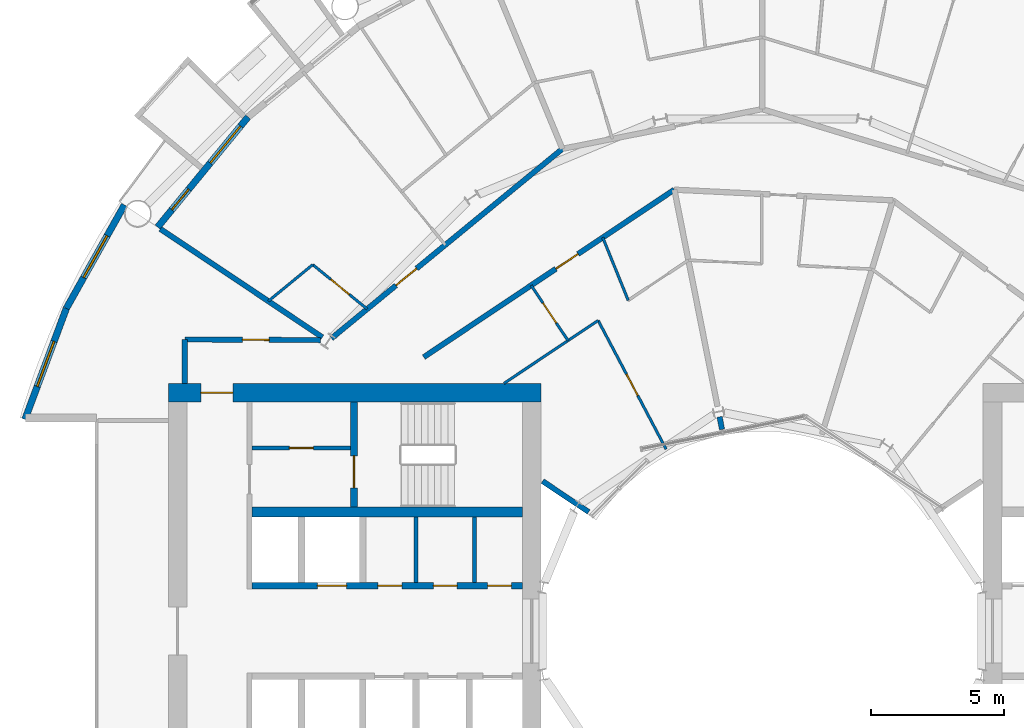
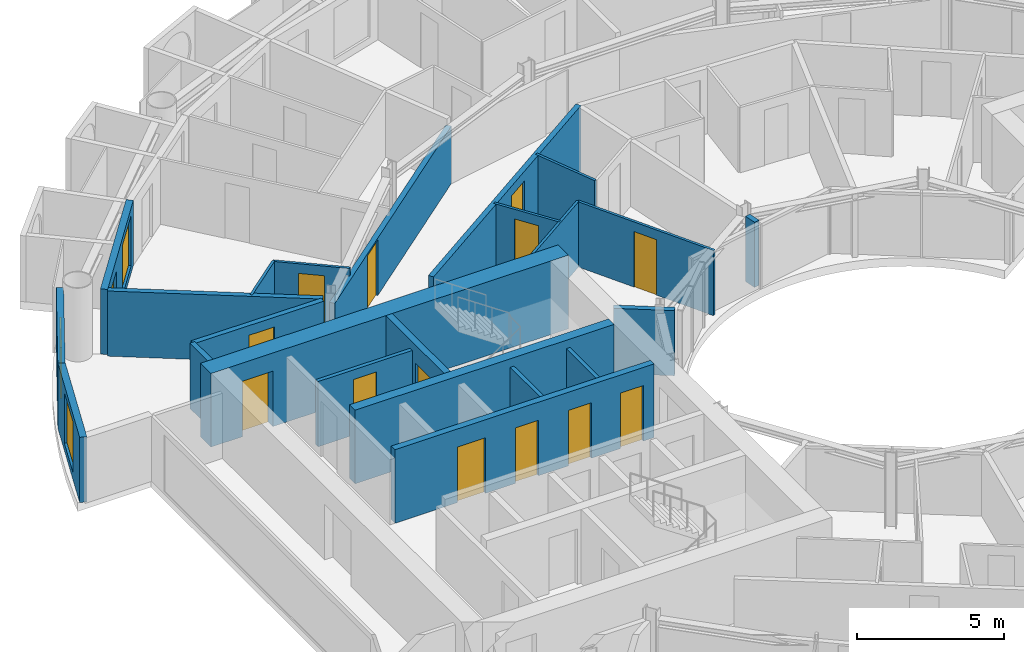
# One storey, part 18 of 26: 23 walls, 14 doors, 3 windows, 17 openings.
"""IFC4 building model written with IfcOpenShell, lengths in metres."""

from ifc_helpers import new_model, si_unit, direction, frame, frame_2d, origin, place, context, subcontext, project, spatial, rectangle, extrude, material, layer, layer_set, type_object, element, fill, save


model = new_model("IFC4")

# Units and contexts
model_context = context("Model", 3, precision=1e-05, world=origin(), true_north=direction((0.0, 1.0)))
body_context = subcontext(model_context, "Body", "Model", "MODEL_VIEW")
ifc_project = project(units=[si_unit("LENGTHUNIT", "METRE"), si_unit("AREAUNIT", "SQUARE_METRE"), si_unit("VOLUMEUNIT", "CUBIC_METRE"), si_unit("PLANEANGLEUNIT", "RADIAN"), si_unit("MASSUNIT", "GRAM", prefix="KILO")], contexts=[model_context])

# Site, building, storey
site_placement = place(None, origin())
site = spatial("IfcSite", under=ifc_project, at=site_placement, CompositionType="ELEMENT")
building_placement = place(site_placement, origin())
building = spatial("IfcBuilding", under=site, at=building_placement, Name="Maasbend Ring Residences", CompositionType="ELEMENT")
storey_placement = place(building_placement, frame((0.0, 0.0, 91.050048828125)))
storey = spatial("IfcBuildingStorey", under=building, at=storey_placement, Name="L26", CompositionType="ELEMENT", Elevation=91.050048828125)

# Wall, openings, doors
ifc_material_1 = material(Name="Concrete C70/85", Category="concrete")
ifc_layer_1 = layer(ifc_material_1, 0.25)
ifc_layer_set_1 = layer_set([ifc_layer_1], Name="Concrete C70/85")
wall_type_1 = type_object("IfcWallType", Name="CORE WALL 250 C70/85", PredefinedType="SHEAR", material=ifc_layer_set_1)
wall_1_placement = place(storey_placement, frame((-19.14990234375, 1.699951171875, 0.0), z_axis=(0.0, 0.0, 1.0), x_axis=(1.0, 0.0, 0.0)))
wall_1 = element("IfcWall", 1, at=wall_1_placement, inside=storey, type_object=wall_type_1, Name="L26 core W wall SPS", PredefinedType="SHEAR", context=body_context, shape_type="SweptSolid", body=[
    extrude(rectangle(XDim=10.14990234375, YDim=0.25, at=frame_2d((5.074951171875, 0.0))), origin(), (0.0, 0.0, 1.0), 3.050048828125),
])
opening_1_placement = place(wall_1_placement, frame((2.449951171875, 0.0, 0.0)))
opening_1 = element("IfcOpeningElement", 2, at=opening_1_placement, cuts=wall_1, Name="Opening LD-W2605", PredefinedType="OPENING", context=body_context, shape_type="SweptSolid", body=[
    extrude(rectangle(XDim=1.10009765625, YDim=2.300048828125, at=frame_2d((0.550048828125, 1.14990234375))), frame((0.0, 0.135009765625, 0.0), z_axis=(0.0, -1.0, 0.0), x_axis=(1.0, 0.0, 0.0)), (0.0, 0.0, 1.0), 0.27001953125),
])
opening_2_placement = place(wall_1_placement, frame((8.83740234375, 0.0, 0.0)))
opening_2 = element("IfcOpeningElement", 3, at=opening_2_placement, cuts=wall_1, Name="Opening D-W2606", PredefinedType="OPENING", context=body_context, shape_type="SweptSolid", body=[
    extrude(rectangle(XDim=0.89990234375, YDim=2.300048828125, at=frame_2d((0.449951171875, 1.14990234375))), frame((0.0, 0.135009765625, 0.0), z_axis=(0.0, -1.0, 0.0), x_axis=(1.0, 0.0, 0.0)), (0.0, 0.0, 1.0), 0.27001953125),
])
opening_3_placement = place(wall_1_placement, frame((6.800048828125, 0.0, 0.0)))
opening_3 = element("IfcOpeningElement", 4, at=opening_3_placement, cuts=wall_1, Name="Opening D-W2607", PredefinedType="OPENING", context=body_context, shape_type="SweptSolid", body=[
    extrude(rectangle(XDim=0.89990234375, YDim=2.300048828125, at=frame_2d((0.449951171875, 1.14990234375))), frame((0.0, 0.135009765625, 0.0), z_axis=(0.0, -1.0, 0.0), x_axis=(1.0, 0.0, 0.0)), (0.0, 0.0, 1.0), 0.27001953125),
])
opening_4_placement = place(wall_1_placement, frame((4.72509765625, 0.0, 0.0)))
opening_4 = element("IfcOpeningElement", 5, at=opening_4_placement, cuts=wall_1, Name="Opening D-W2608", PredefinedType="OPENING", context=body_context, shape_type="SweptSolid", body=[
    extrude(rectangle(XDim=0.89990234375, YDim=2.300048828125, at=frame_2d((0.449951171875, 1.14990234375))), frame((0.0, 0.135009765625, 0.0), z_axis=(0.0, -1.0, 0.0), x_axis=(1.0, 0.0, 0.0)), (0.0, 0.0, 1.0), 0.27001953125),
])
ifc_material_2 = material(Name="Stainless steel 316", Category="steel")
door_type_1 = type_object("IfcDoorType", Name="LANDING DOOR 1100 X 2300 FD60", OperationType="DOUBLE_DOOR_SLIDING", PredefinedType="DOOR", material=ifc_material_2)
door_1_placement = place(opening_1_placement, origin())
door_1 = element("IfcDoor", 6, at=door_1_placement, inside=storey, type_object=door_type_1, Name="Landing door SV-W L26", OperationType="DOUBLE_DOOR_SLIDING", OverallHeight=2.300048828125, OverallWidth=1.10009765625, PredefinedType="DOOR", context=body_context, shape_type="SweptSolid", body=[
    extrude(rectangle(XDim=1.10009765625, YDim=2.300048828125, at=frame_2d((0.550048828125, 1.14990234375))), frame((0.0, 0.02490234375, 0.0), z_axis=(0.0, -1.0, 0.0), x_axis=(1.0, 0.0, 0.0)), (0.0, 0.0, 1.0), 0.050048828125),
])
fill(opening_1, door_1)
ifc_material_3 = material(Name="Steel, powder coated", Category="steel")
door_type_2 = type_object("IfcDoorType", Name="ROOM DOOR 900 X 2300 FD30S", OperationType="NOTDEFINED", PredefinedType="DOOR", material=ifc_material_3)
door_2_placement = place(opening_2_placement, origin())
door_2 = element("IfcDoor", 7, at=door_2_placement, inside=storey, type_object=door_type_2, Name="Room door L26", OperationType="SINGLE_SWING_LEFT", OverallHeight=2.300048828125, OverallWidth=0.89990234375, PredefinedType="DOOR", context=body_context, shape_type="SweptSolid", body=[
    extrude(rectangle(XDim=0.89990234375, YDim=2.300048828125, at=frame_2d((0.449951171875, 1.14990234375))), frame((0.0, 0.02490234375, 0.0), z_axis=(0.0, -1.0, 0.0), x_axis=(1.0, 0.0, 0.0)), (0.0, 0.0, 1.0), 0.050048828125),
])
fill(opening_2, door_2)
door_3_placement = place(opening_3_placement, origin())
door_3 = element("IfcDoor", 8, at=door_3_placement, inside=storey, type_object=door_type_2, Name="Room door L26", OperationType="SINGLE_SWING_LEFT", OverallHeight=2.300048828125, OverallWidth=0.89990234375, PredefinedType="DOOR", context=body_context, shape_type="SweptSolid", body=[
    extrude(rectangle(XDim=0.89990234375, YDim=2.300048828125, at=frame_2d((0.449951171875, 1.14990234375))), frame((0.0, 0.02490234375, 0.0), z_axis=(0.0, -1.0, 0.0), x_axis=(1.0, 0.0, 0.0)), (0.0, 0.0, 1.0), 0.050048828125),
])
fill(opening_3, door_3)
door_4_placement = place(opening_4_placement, origin())
door_4 = element("IfcDoor", 9, at=door_4_placement, inside=storey, type_object=door_type_2, Name="Room door L26", OperationType="SINGLE_SWING_LEFT", OverallHeight=2.300048828125, OverallWidth=0.89990234375, PredefinedType="DOOR", context=body_context, shape_type="SweptSolid", body=[
    extrude(rectangle(XDim=0.89990234375, YDim=2.300048828125, at=frame_2d((0.449951171875, 1.14990234375))), frame((0.0, 0.02490234375, 0.0), z_axis=(0.0, -1.0, 0.0), x_axis=(1.0, 0.0, 0.0)), (0.0, 0.0, 1.0), 0.050048828125),
])
fill(opening_4, door_4)

# Wall, opening, door
wall_2_placement = place(storey_placement, frame((-15.324951171875, 8.60009765625, 0.0), z_axis=(0.0, 0.0, 1.0), x_axis=(0.0, -1.0, 0.0)))
wall_2 = element("IfcWall", 10, at=wall_2_placement, inside=storey, type_object=wall_type_1, Name="L26 core W wall STES", PredefinedType="SHEAR", context=body_context, shape_type="SweptSolid", body=[
    extrude(rectangle(XDim=3.9501953125, YDim=0.25, at=frame_2d((1.97509765625, 0.0))), origin(), (0.0, 0.0, 1.0), 3.050048828125),
])
opening_5_placement = place(wall_2_placement, frame((2.02490234375, 0.0, 0.0)))
opening_5 = element("IfcOpeningElement", 11, at=opening_5_placement, cuts=wall_2, Name="Opening D-W2611", PredefinedType="OPENING", context=body_context, shape_type="SweptSolid", body=[
    extrude(rectangle(XDim=1.199951171875, YDim=2.300048828125, at=frame_2d((0.60009765625, 1.14990234375))), frame((0.0, 0.135009765625, 0.0), z_axis=(0.0, -1.0, 0.0), x_axis=(1.0, 0.0, 0.0)), (0.0, 0.0, 1.0), 0.27001953125),
])
ifc_material_4 = material(Name="Steel, powder coated", Category="steel")
door_type_3 = type_object("IfcDoorType", Name="STAIR DOOR 1200 X 2300 FD60", OperationType="NOTDEFINED", PredefinedType="DOOR", material=ifc_material_4)
door_5_placement = place(opening_5_placement, origin())
door_5 = element("IfcDoor", 12, at=door_5_placement, inside=storey, type_object=door_type_3, Name="Stair door ST-W L26", OperationType="SINGLE_SWING_LEFT", OverallHeight=2.300048828125, OverallWidth=1.199951171875, PredefinedType="DOOR", context=body_context, shape_type="SweptSolid", body=[
    extrude(rectangle(XDim=1.199951171875, YDim=2.300048828125, at=frame_2d((0.60009765625, 1.14990234375))), frame((0.0, 0.02490234375, 0.0), z_axis=(0.0, -1.0, 0.0), x_axis=(1.0, 0.0, 0.0)), (0.0, 0.0, 1.0), 0.050048828125),
])
fill(opening_5, door_5)

# Wall
ifc_material_5 = material(Name="Concrete C70/85", Category="concrete")
ifc_layer_2 = layer(ifc_material_5, 0.375)
ifc_layer_set_2 = layer_set([ifc_layer_2], Name="Concrete C70/85")
wall_type_2 = type_object("IfcWallType", Name="CORE WALL 375 C70/85", PredefinedType="SHEAR", material=ifc_layer_set_2)
wall_3_placement = place(storey_placement, frame((-9.0, 4.46240234375, 0.0), z_axis=(0.0, 0.0, 1.0), x_axis=(-1.0, 0.0, 0.0)))
element("IfcWall", 13, at=wall_3_placement, inside=storey, type_object=wall_type_2, Name="L26 core W wall BS", PredefinedType="SHEAR", context=body_context, shape_type="SweptSolid", body=[
    extrude(rectangle(XDim=10.14990234375, YDim=0.375, at=frame_2d((5.074951171875, 0.0))), origin(), (0.0, 0.0, 1.0), 3.050048828125),
])

# Wall, opening, door
ifc_material_6 = material(Name="Concrete C70/85", Category="concrete")
ifc_layer_3 = layer(ifc_material_6, 0.699951171875)
ifc_layer_set_3 = layer_set([ifc_layer_3], Name="Concrete C70/85")
wall_type_3 = type_object("IfcWallType", Name="CORE WALL 700 C70/85", PredefinedType="SHEAR", material=ifc_layer_set_3)
wall_4_placement = place(storey_placement, frame((-8.300048828125, 8.949951171875, 0.0), z_axis=(0.0, 0.0, 1.0), x_axis=(-1.0, 0.0, 0.0)))
wall_4 = element("IfcWall", 14, at=wall_4_placement, inside=storey, type_object=wall_type_3, Name="L26 core W wall PS", PredefinedType="SHEAR", context=body_context, shape_type="SweptSolid", body=[
    extrude(rectangle(XDim=14.0, YDim=0.699951171875, at=frame_2d((7.0, 0.0))), origin(), (0.0, 0.0, 1.0), 3.050048828125),
])
opening_6_placement = place(wall_4_placement, frame((11.574951171875, 0.0, 0.0)))
opening_6 = element("IfcOpeningElement", 15, at=opening_6_placement, cuts=wall_4, Name="Opening D-W2615", PredefinedType="OPENING", context=body_context, shape_type="SweptSolid", body=[
    extrude(rectangle(XDim=1.199951171875, YDim=2.300048828125, at=frame_2d((0.60009765625, 1.14990234375))), frame((0.0, 0.35986328125, 0.0), z_axis=(0.0, -1.0, 0.0), x_axis=(1.0, 0.0, 0.0)), (0.0, 0.0, 1.0), 0.719970703125),
])
ifc_material_7 = material(Name="Steel, powder coated", Category="steel")
door_type_4 = type_object("IfcDoorType", Name="CORRIDOR DOOR 1200 X 2300 FD30S", OperationType="NOTDEFINED", PredefinedType="DOOR", material=ifc_material_7)
door_6_placement = place(opening_6_placement, origin())
door_6 = element("IfcDoor", 16, at=door_6_placement, inside=storey, type_object=door_type_4, Name="Corridor door L26", OperationType="SINGLE_SWING_LEFT", OverallHeight=2.300048828125, OverallWidth=1.199951171875, PredefinedType="DOOR", context=body_context, shape_type="SweptSolid", body=[
    extrude(rectangle(XDim=1.199951171875, YDim=2.300048828125, at=frame_2d((0.60009765625, 1.14990234375))), frame((0.0, 0.02490234375, 0.0), z_axis=(0.0, -1.0, 0.0), x_axis=(1.0, 0.0, 0.0)), (0.0, 0.0, 1.0), 0.050048828125),
])
fill(opening_6, door_6)

ifc_material_8 = material(Name="Concrete C30/37", Category="concrete")
ifc_layer_4 = layer(ifc_material_8, 0.199951171875)
ifc_layer_set_4 = layer_set([ifc_layer_4], Name="Concrete C30/37")
wall_type_4 = type_object("IfcWallType", Name="CORRIDOR WALL 200 CONCRETE", PredefinedType="PARTITIONING", material=ifc_layer_set_4)
wall_5_placement = place(storey_placement, frame((-21.675048828125, 10.949951171875, 0.0), z_axis=(0.0, 0.0, 1.0), x_axis=(0.999988944514, -0.004702217579, 0.0)))
wall_5 = element("IfcWall", 17, at=wall_5_placement, inside=storey, type_object=wall_type_4, Name="U-L26-w088", PredefinedType="PARTITIONING", context=body_context, shape_type="SweptSolid", body=[
    extrude(rectangle(XDim=5.088134765625, YDim=0.199951171875, at=frame_2d((2.5439453125, 0.0))), origin(), (0.0, 0.0, 1.0), 2.699951171875),
])
opening_7_placement = place(wall_5_placement, frame((2.162109375, 0.0, 0.0)))
opening_7 = element("IfcOpeningElement", 18, at=opening_7_placement, cuts=wall_5, Name="Opening D-2664", PredefinedType="OPENING", context=body_context, shape_type="SweptSolid", body=[
    extrude(rectangle(XDim=1.0, YDim=2.300048828125, at=frame_2d((0.5, 1.14990234375))), frame((0.0, 0.10986328125, 0.0), z_axis=(0.0, -1.0, 0.0), x_axis=(1.0, 0.0, 0.0)), (0.0, 0.0, 1.0), 0.219970703125),
])
ifc_material_9 = material(Name="Timber, painted", Category="wood")
door_type_5 = type_object("IfcDoorType", Name="ROOM DOOR 1000 X 2300", OperationType="NOTDEFINED", PredefinedType="DOOR", material=ifc_material_9)
door_7_placement = place(opening_7_placement, origin())
door_7 = element("IfcDoor", 19, at=door_7_placement, inside=storey, type_object=door_type_5, Name="D-2664", OperationType="SINGLE_SWING_RIGHT", OverallHeight=2.300048828125, OverallWidth=1.0, PredefinedType="DOOR", context=body_context, shape_type="SweptSolid", body=[
    extrude(rectangle(XDim=1.0, YDim=2.300048828125, at=frame_2d((0.5, 1.14990234375))), frame((0.0, 0.02490234375, 0.0), z_axis=(0.0, -1.0, 0.0), x_axis=(1.0, 0.0, 0.0)), (0.0, 0.0, 1.0), 0.050048828125),
])
fill(opening_7, door_7)

wall_6_placement = place(storey_placement, frame((-12.7080078125, 10.285888671875, 0.0), z_axis=(0.0, 0.0, 1.0), x_axis=(0.831405725802, 0.555665834026, 0.0)))
wall_6 = element("IfcWall", 20, at=wall_6_placement, inside=storey, type_object=wall_type_4, Name="U-L26-w095", PredefinedType="PARTITIONING", context=body_context, shape_type="SweptSolid", body=[
    extrude(rectangle(XDim=11.314453125, YDim=0.199951171875, at=frame_2d((5.6572265625, 0.0))), origin(), (0.0, 0.0, 1.0), 2.699951171875),
])
opening_8_placement = place(wall_6_placement, frame((5.968994140625, 0.0, 0.0)))
opening_8 = element("IfcOpeningElement", 21, at=opening_8_placement, cuts=wall_6, Name="Opening D-2628", PredefinedType="OPENING", context=body_context, shape_type="SweptSolid", body=[
    extrude(rectangle(XDim=1.0, YDim=2.300048828125, at=frame_2d((0.5, 1.14990234375))), frame((0.0, 0.10986328125, 0.0), z_axis=(0.0, -1.0, 0.0), x_axis=(1.0, 0.0, 0.0)), (0.0, 0.0, 1.0), 0.219970703125),
])
ifc_material_10 = material(Name="Timber, fire-rated, painted", Category="wood")
door_type_6 = type_object("IfcDoorType", Name="FLAT ENTRANCE DOOR 1000 X 2300 FIRE-RATED", OperationType="NOTDEFINED", PredefinedType="DOOR", material=ifc_material_10)
door_8_placement = place(opening_8_placement, origin())
door_8 = element("IfcDoor", 22, at=door_8_placement, inside=storey, type_object=door_type_6, Name="D-2628", OperationType="SINGLE_SWING_RIGHT", OverallHeight=2.300048828125, OverallWidth=1.0, PredefinedType="DOOR", context=body_context, shape_type="SweptSolid", body=[
    extrude(rectangle(XDim=1.0, YDim=2.300048828125, at=frame_2d((0.5, 1.14990234375))), frame((0.0, 0.02490234375, 0.0), z_axis=(0.0, -1.0, 0.0), x_axis=(1.0, 0.0, 0.0)), (0.0, 0.0, 1.0), 0.050048828125),
])
fill(opening_8, door_8)

wall_7_placement = place(storey_placement, frame((-16.173095703125, 10.990966796875, 0.0), z_axis=(0.0, 0.0, 1.0), x_axis=(0.773049018445, 0.634346289562, 0.0)))
wall_7 = element("IfcWall", 23, at=wall_7_placement, inside=storey, type_object=wall_type_4, Name="U-L26-w099", PredefinedType="PARTITIONING", context=body_context, shape_type="SweptSolid", body=[
    extrude(rectangle(XDim=11.21923828125, YDim=0.199951171875, at=frame_2d((5.609619140625, 0.0))), origin(), (0.0, 0.0, 1.0), 2.3798828125),
])
opening_9_placement = place(wall_7_placement, frame((3.135009765625, 0.0, 0.0)))
opening_9 = element("IfcOpeningElement", 24, at=opening_9_placement, cuts=wall_7, Name="Opening D-2615", PredefinedType="OPENING", context=body_context, shape_type="SweptSolid", body=[
    extrude(rectangle(XDim=1.0, YDim=2.300048828125, at=frame_2d((0.5, 1.14990234375))), frame((0.0, 0.10986328125, 0.0), z_axis=(0.0, -1.0, 0.0), x_axis=(1.0, 0.0, 0.0)), (0.0, 0.0, 1.0), 0.219970703125),
])
door_9_placement = place(opening_9_placement, origin())
door_9 = element("IfcDoor", 25, at=door_9_placement, inside=storey, type_object=door_type_6, Name="D-2615", OperationType="SINGLE_SWING_LEFT", OverallHeight=2.300048828125, OverallWidth=1.0, PredefinedType="DOOR", context=body_context, shape_type="SweptSolid", body=[
    extrude(rectangle(XDim=1.0, YDim=2.300048828125, at=frame_2d((0.5, 1.14990234375))), frame((0.0, 0.02490234375, 0.0), z_axis=(0.0, -1.0, 0.0), x_axis=(1.0, 0.0, 0.0)), (0.0, 0.0, 1.0), 0.050048828125),
])
fill(opening_9, door_9)

# Wall
wall_8_placement = place(storey_placement, frame((-21.675048828125, 9.300048828125, 0.0), z_axis=(0.0, 0.0, 1.0), x_axis=(0.0, 1.0, 0.0)))
element("IfcWall", 26, at=wall_8_placement, inside=storey, type_object=wall_type_4, Name="U-L26-w107", PredefinedType="PARTITIONING", context=body_context, shape_type="SweptSolid", body=[
    extrude(rectangle(XDim=1.64990234375, YDim=0.199951171875, at=frame_2d((0.824951171875, 0.0))), origin(), (0.0, 0.0, 1.0), 2.699951171875),
])

# Wall, openings, door, window
ifc_material_11 = material(Name="Aluminium clad insulated panel", Category="aluminium")
ifc_layer_5 = layer(ifc_material_11, 0.25)
ifc_layer_set_5 = layer_set([ifc_layer_5], Name="EW-GL")
wall_type_5 = type_object("IfcWallType", Name="EW-GL", PredefinedType="SOLIDWALL", material=ifc_layer_set_5)
wall_9_placement = place(storey_placement, frame((-19.303955078125, 19.303955078125, 0.0), z_axis=(0.0, 0.0, 1.0), x_axis=(-0.634382322723, -0.773019449054, 0.0)))
wall_9 = element("IfcWall", 27, at=wall_9_placement, inside=storey, type_object=wall_type_5, Name="External wall N10", PredefinedType="SOLIDWALL", context=body_context, shape_type="SweptSolid", body=[
    extrude(rectangle(XDim=5.351806640625, YDim=0.25, at=frame_2d((2.67578125, 0.0))), origin(), (0.0, 0.0, 1.0), 2.699951171875),
])
opening_10_placement = place(wall_9_placement, frame((0.441162109375, 0.0, 0.300048828125)))
opening_10 = element("IfcOpeningElement", 28, at=opening_10_placement, cuts=wall_9, Name="Opening W-BX", PredefinedType="OPENING", context=body_context, shape_type="SweptSolid", body=[
    extrude(rectangle(XDim=1.800048828125, YDim=2.10009765625, at=frame_2d((0.89990234375, 1.050048828125))), frame((0.0, 0.135009765625, 0.0), z_axis=(0.0, -1.0, 0.0), x_axis=(1.0, 0.0, 0.0)), (0.0, 0.0, 1.0), 0.27001953125),
])
opening_11_placement = place(wall_9_placement, frame((3.510498046875, 0.0, 0.0)))
opening_11 = element("IfcOpeningElement", 29, at=opening_11_placement, cuts=wall_9, Name="Opening D-LG", PredefinedType="OPENING", context=body_context, shape_type="SweptSolid", body=[
    extrude(rectangle(XDim=1.0, YDim=2.199951171875, at=frame_2d((0.5, 1.10009765625))), frame((0.0, 0.135009765625, 0.0), z_axis=(0.0, -1.0, 0.0), x_axis=(1.0, 0.0, 0.0)), (0.0, 0.0, 1.0), 0.27001953125),
])
ifc_material_12 = material(Name="Aluminium and clear glass", Category="aluminium")
door_type_7 = type_object("IfcDoorType", Name="D-LG", OperationType="SINGLE_SWING_LEFT", PredefinedType="DOOR", material=ifc_material_12)
door_10_placement = place(opening_11_placement, origin())
door_10 = element("IfcDoor", 30, at=door_10_placement, inside=storey, type_object=door_type_7, Name="Loggia door N20", OperationType="SINGLE_SWING_LEFT", OverallHeight=2.199951171875, OverallWidth=1.0, PredefinedType="DOOR", context=body_context, shape_type="SweptSolid", body=[
    extrude(rectangle(XDim=1.0, YDim=2.199951171875, at=frame_2d((0.5, 1.10009765625))), frame((0.0, 0.02490234375, 0.0), z_axis=(0.0, -1.0, 0.0), x_axis=(1.0, 0.0, 0.0)), (0.0, 0.0, 1.0), 0.050048828125),
])
fill(opening_11, door_10)
ifc_material_13 = material(Name="Aluminium and clear glass", Category="aluminium")
window_type = type_object("IfcWindowType", Name="W-BX", PartitioningType="DOUBLE_PANEL_VERTICAL", PredefinedType="WINDOW", material=ifc_material_13)
window_1_placement = place(opening_10_placement, origin())
window_1 = element("IfcWindow", 31, at=window_1_placement, inside=storey, type_object=window_type, Name="Window N19 room to box", OverallHeight=2.10009765625, OverallWidth=1.800048828125, PartitioningType="SINGLE_PANEL", PredefinedType="WINDOW", context=body_context, shape_type="SweptSolid", body=[
    extrude(rectangle(XDim=1.800048828125, YDim=2.10009765625, at=frame_2d((0.89990234375, 1.050048828125))), frame((0.0, 0.030029296875, 0.0), z_axis=(0.0, -1.0, 0.0), x_axis=(1.0, 0.0, 0.0)), (0.0, 0.0, 1.0), 0.06005859375),
])
fill(opening_10, window_1)

# Wall, opening, window
ifc_material_14 = material(Name="Aluminium clad insulated panel", Category="aluminium")
ifc_layer_6 = layer(ifc_material_14, 0.25)
ifc_layer_set_6 = layer_set([ifc_layer_6], Name="EW-HORN")
wall_type_6 = type_object("IfcWallType", Name="EW-HORN", PredefinedType="SOLIDWALL", material=ifc_layer_set_6)
wall_10_placement = place(storey_placement, frame((-23.946044921875, 16.0, 0.0), z_axis=(0.0, 0.0, 1.0), x_axis=(-0.489696356642, -0.871893042919, 0.0)))
wall_10 = element("IfcWall", 32, at=wall_10_placement, inside=storey, type_object=wall_type_6, Name="Horn wall 4.1", PredefinedType="SOLIDWALL", context=body_context, shape_type="SweptSolid", body=[
    extrude(rectangle(XDim=4.45361328125, YDim=0.25, at=frame_2d((2.226806640625, 0.0))), origin(), (0.0, 0.0, 1.0), 2.699951171875),
])
opening_12_placement = place(wall_10_placement, frame((1.32666015625, 0.0, 0.300048828125)))
opening_12 = element("IfcOpeningElement", 33, at=opening_12_placement, cuts=wall_10, Name="Opening W-BX", PredefinedType="OPENING", context=body_context, shape_type="SweptSolid", body=[
    extrude(rectangle(XDim=1.800048828125, YDim=2.10009765625, at=frame_2d((0.89990234375, 1.050048828125))), frame((0.0, 0.135009765625, 0.0), z_axis=(0.0, -1.0, 0.0), x_axis=(1.0, 0.0, 0.0)), (0.0, 0.0, 1.0), 0.27001953125),
])
window_2_placement = place(opening_12_placement, origin())
window_2 = element("IfcWindow", 34, at=window_2_placement, inside=storey, type_object=window_type, Name="Horn window 4.1", OverallHeight=2.10009765625, OverallWidth=1.800048828125, PartitioningType="SINGLE_PANEL", PredefinedType="WINDOW", context=body_context, shape_type="SweptSolid", body=[
    extrude(rectangle(XDim=1.800048828125, YDim=2.10009765625, at=frame_2d((0.89990234375, 1.050048828125))), frame((0.0, 0.030029296875, 0.0), z_axis=(0.0, -1.0, 0.0), x_axis=(1.0, 0.0, 0.0)), (0.0, 0.0, 1.0), 0.06005859375),
])
fill(opening_12, window_2)

wall_11_placement = place(storey_placement, frame((-26.126953125, 12.116943359375, 0.0), z_axis=(0.0, 0.0, 1.0), x_axis=(-0.349247811493, -0.937030397675, 0.0)))
wall_11 = element("IfcWall", 35, at=wall_11_placement, inside=storey, type_object=wall_type_6, Name="Horn wall 4.2", PredefinedType="SOLIDWALL", context=body_context, shape_type="SweptSolid", body=[
    extrude(rectangle(XDim=4.4521484375, YDim=0.25, at=frame_2d((2.22607421875, 0.0))), origin(), (0.0, 0.0, 1.0), 2.699951171875),
])
opening_13_placement = place(wall_11_placement, frame((1.32666015625, 0.0, 0.300048828125)))
opening_13 = element("IfcOpeningElement", 36, at=opening_13_placement, cuts=wall_11, Name="Opening W-BX", PredefinedType="OPENING", context=body_context, shape_type="SweptSolid", body=[
    extrude(rectangle(XDim=1.800048828125, YDim=2.10009765625, at=frame_2d((0.89990234375, 1.050048828125))), frame((0.0, 0.135009765625, 0.0), z_axis=(0.0, -1.0, 0.0), x_axis=(1.0, 0.0, 0.0)), (0.0, 0.0, 1.0), 0.27001953125),
])
window_3_placement = place(opening_13_placement, origin())
window_3 = element("IfcWindow", 37, at=window_3_placement, inside=storey, type_object=window_type, Name="Horn window 4.2", OverallHeight=2.10009765625, OverallWidth=1.800048828125, PartitioningType="SINGLE_PANEL", PredefinedType="WINDOW", context=body_context, shape_type="SweptSolid", body=[
    extrude(rectangle(XDim=1.800048828125, YDim=2.10009765625, at=frame_2d((0.89990234375, 1.050048828125))), frame((0.0, 0.030029296875, 0.0), z_axis=(0.0, -1.0, 0.0), x_axis=(1.0, 0.0, 0.0)), (0.0, 0.0, 1.0), 0.06005859375),
])
fill(opening_13, window_3)

# Wall, opening, door
ifc_material_15 = material(Name="Gypsum board on steel studs", Category="steel")
ifc_layer_7 = layer(ifc_material_15, 0.10009765625)
ifc_layer_set_7 = layer_set([ifc_layer_7], Name="PARTITION 100 GYPSUM")
wall_type_7 = type_object("IfcWallType", Name="PARTITION 100 GYPSUM", PredefinedType="PARTITIONING", material=ifc_layer_set_7)
wall_12_placement = place(storey_placement, frame((-16.8740234375, 13.758056640625, 0.0), z_axis=(0.0, 0.0, 1.0), x_axis=(0.774979608522, -0.631986239072, 0.0)))
wall_12 = element("IfcWall", 38, at=wall_12_placement, inside=storey, type_object=wall_type_7, Name="U-L26-w034", PredefinedType="PARTITIONING", context=body_context, shape_type="SweptSolid", body=[
    extrude(rectangle(XDim=2.63623046875, YDim=0.10009765625, at=frame_2d((1.318115234375, 0.0))), origin(), (0.0, 0.0, 1.0), 2.699951171875),
])
opening_14_placement = place(wall_12_placement, frame((0.867919921875, 0.0, 0.0)))
opening_14 = element("IfcOpeningElement", 39, at=opening_14_placement, cuts=wall_12, Name="Opening D-2616", PredefinedType="OPENING", context=body_context, shape_type="SweptSolid", body=[
    extrude(rectangle(XDim=0.89990234375, YDim=2.300048828125, at=frame_2d((0.449951171875, 1.14990234375))), frame((0.0, 0.06005859375, 0.0), z_axis=(0.0, -1.0, 0.0), x_axis=(1.0, 0.0, 0.0)), (0.0, 0.0, 1.0), 0.1201171875),
])
ifc_material_16 = material(Name="Timber, painted", Category="wood")
door_type_8 = type_object("IfcDoorType", Name="INTERNAL DOOR 900 X 2300", OperationType="NOTDEFINED", PredefinedType="DOOR", material=ifc_material_16)
door_11_placement = place(opening_14_placement, origin())
door_11 = element("IfcDoor", 40, at=door_11_placement, inside=storey, type_object=door_type_8, Name="D-2616", OperationType="SINGLE_SWING_LEFT", OverallHeight=2.300048828125, OverallWidth=0.89990234375, PredefinedType="DOOR", context=body_context, shape_type="SweptSolid", body=[
    extrude(rectangle(XDim=0.89990234375, YDim=2.300048828125, at=frame_2d((0.449951171875, 1.14990234375))), frame((0.0, 0.02490234375, 0.0), z_axis=(0.0, -1.0, 0.0), x_axis=(1.0, 0.0, 0.0)), (0.0, 0.0, 1.0), 0.050048828125),
])
fill(opening_14, door_11)

wall_13_placement = place(storey_placement, frame((-8.674072265625, 12.98193359375, 0.0), z_axis=(0.0, 0.0, 1.0), x_axis=(0.555355163998, -0.831613276602, 0.0)))
wall_13 = element("IfcWall", 41, at=wall_13_placement, inside=storey, type_object=wall_type_7, Name="U-L26-w041", PredefinedType="PARTITIONING", context=body_context, shape_type="SweptSolid", body=[
    extrude(rectangle(XDim=2.493896484375, YDim=0.10009765625, at=frame_2d((1.2470703125, 0.0))), origin(), (0.0, 0.0, 1.0), 2.699951171875),
])
opening_15_placement = place(wall_13_placement, frame((0.797119140625, 0.0, 0.0)))
opening_15 = element("IfcOpeningElement", 42, at=opening_15_placement, cuts=wall_13, Name="Opening D-2630", PredefinedType="OPENING", context=body_context, shape_type="SweptSolid", body=[
    extrude(rectangle(XDim=0.89990234375, YDim=2.300048828125, at=frame_2d((0.449951171875, 1.14990234375))), frame((0.0, 0.06005859375, 0.0), z_axis=(0.0, -1.0, 0.0), x_axis=(1.0, 0.0, 0.0)), (0.0, 0.0, 1.0), 0.1201171875),
])
door_12_placement = place(opening_15_placement, origin())
door_12 = element("IfcDoor", 43, at=door_12_placement, inside=storey, type_object=door_type_8, Name="D-2630", OperationType="SINGLE_SWING_RIGHT", OverallHeight=2.300048828125, OverallWidth=0.89990234375, PredefinedType="DOOR", context=body_context, shape_type="SweptSolid", body=[
    extrude(rectangle(XDim=0.89990234375, YDim=2.300048828125, at=frame_2d((0.449951171875, 1.14990234375))), frame((0.0, 0.02490234375, 0.0), z_axis=(0.0, -1.0, 0.0), x_axis=(1.0, 0.0, 0.0)), (0.0, 0.0, 1.0), 0.050048828125),
])
fill(opening_15, door_12)

wall_14_placement = place(storey_placement, frame((-6.158935546875, 11.6630859375, 0.0), z_axis=(0.0, 0.0, 1.0), x_axis=(0.466976820365, -0.884269556889, 0.0)))
wall_14 = element("IfcWall", 44, at=wall_14_placement, inside=storey, type_object=wall_type_7, Name="U-L26-w044", PredefinedType="PARTITIONING", context=body_context, shape_type="SweptSolid", body=[
    extrude(rectangle(XDim=5.46923828125, YDim=0.10009765625, at=frame_2d((2.734619140625, 0.0))), origin(), (0.0, 0.0, 1.0), 2.699951171875),
])
opening_16_placement = place(wall_14_placement, frame((2.283935546875, 0.0, 0.0)))
opening_16 = element("IfcOpeningElement", 45, at=opening_16_placement, cuts=wall_14, Name="Opening D-2631", PredefinedType="OPENING", context=body_context, shape_type="SweptSolid", body=[
    extrude(rectangle(XDim=0.89990234375, YDim=2.300048828125, at=frame_2d((0.449951171875, 1.14990234375))), frame((0.0, 0.06005859375, 0.0), z_axis=(0.0, -1.0, 0.0), x_axis=(1.0, 0.0, 0.0)), (0.0, 0.0, 1.0), 0.1201171875),
])
door_13_placement = place(opening_16_placement, origin())
door_13 = element("IfcDoor", 46, at=door_13_placement, inside=storey, type_object=door_type_8, Name="D-2631", OperationType="SINGLE_SWING_RIGHT", OverallHeight=2.300048828125, OverallWidth=0.89990234375, PredefinedType="DOOR", context=body_context, shape_type="SweptSolid", body=[
    extrude(rectangle(XDim=0.89990234375, YDim=2.300048828125, at=frame_2d((0.449951171875, 1.14990234375))), frame((0.0, 0.02490234375, 0.0), z_axis=(0.0, -1.0, 0.0), x_axis=(1.0, 0.0, 0.0)), (0.0, 0.0, 1.0), 0.050048828125),
])
fill(opening_16, door_13)

# Walls
wall_15_placement = place(storey_placement, frame((-5.986083984375, 14.779052734375, 0.0), z_axis=(0.0, 0.0, 1.0), x_axis=(0.375649498413, -0.926761811008, 0.0)))
element("IfcWall", 47, at=wall_15_placement, inside=storey, type_object=wall_type_7, Name="U-L26-w047", PredefinedType="PARTITIONING", context=body_context, shape_type="SweptSolid", body=[
    extrude(rectangle(XDim=2.547607421875, YDim=0.10009765625, at=frame_2d((1.27392578125, 0.0))), origin(), (0.0, 0.0, 1.0), 2.699951171875),
])
wall_16_placement = place(storey_placement, frame((-9.695068359375, 9.300048828125, 0.0), z_axis=(0.0, 0.0, 1.0), x_axis=(0.831369521678, 0.555720000022, 0.0)))
element("IfcWall", 48, at=wall_16_placement, inside=storey, type_object=wall_type_7, Name="U-L26-w089", PredefinedType="PARTITIONING", context=body_context, shape_type="SweptSolid", body=[
    extrude(rectangle(XDim=4.252197265625, YDim=0.10009765625, at=frame_2d((2.1259765625, 0.0))), origin(), (0.0, 0.0, 1.0), 2.699951171875),
])
wall_17_placement = place(storey_placement, frame((-18.5419921875, 12.388916015625, 0.0), z_axis=(0.0, 0.0, 1.0), x_axis=(0.772948171844, 0.634469166818, 0.0)))
element("IfcWall", 49, at=wall_17_placement, inside=storey, type_object=wall_type_7, Name="U-L26-w102", PredefinedType="PARTITIONING", context=body_context, shape_type="SweptSolid", body=[
    extrude(rectangle(XDim=2.157958984375, YDim=0.10009765625, at=frame_2d((1.0791015625, 0.0))), origin(), (0.0, 0.0, 1.0), 2.699951171875),
])
ifc_material_17 = material(Name="Gypsum board on steel studs", Category="steel")
ifc_layer_8 = layer(ifc_material_17, 0.14990234375)
ifc_layer_set_8 = layer_set([ifc_layer_8], Name="PARTITION 150 EI 60")
wall_type_8 = type_object("IfcWallType", Name="PARTITION 150 EI 60", PredefinedType="PARTITIONING", material=ifc_layer_set_8)
for number, where, z_axis, x_axis, name in (
    (50, (-10.800048828125, 1.824951171875, 0.0), (0.0, 0.0, 1.0), (0.0, 1.0, 0.0), "L26 core W wall PRS1080"),
    (51, (-13.0, 1.824951171875, 0.0), (0.0, 0.0, 1.0), (0.0, 1.0, 0.0), "L26 core W wall PRS1300"),
):
    element("IfcWall", number, at=place(storey_placement, frame(where, z_axis=z_axis, x_axis=x_axis)), inside=storey, type_object=wall_type_8, Name=name, PredefinedType="PARTITIONING", context=body_context, shape_type="SweptSolid", body=[
        extrude(rectangle(XDim=2.449951171875, YDim=0.14990234375, at=frame_2d((1.22509765625, 0.0))), origin(), (0.0, 0.0, 1.0), 2.699951171875),
    ])

# Wall, opening, door
wall_18_placement = place(storey_placement, frame((-15.449951171875, 6.875, 0.0), z_axis=(0.0, 0.0, 1.0), x_axis=(-1.0, 0.0, 0.0)))
wall_18 = element("IfcWall", 52, at=wall_18_placement, inside=storey, type_object=wall_type_8, Name="L26 core W wall RHS", PredefinedType="PARTITIONING", context=body_context, shape_type="SweptSolid", body=[
    extrude(rectangle(XDim=3.699951171875, YDim=0.14990234375, at=frame_2d((1.85009765625, 0.0))), origin(), (0.0, 0.0, 1.0), 2.699951171875),
])
opening_17_placement = place(wall_18_placement, frame((1.39990234375, 0.0, 0.0)))
opening_17 = element("IfcOpeningElement", 53, at=opening_17_placement, cuts=wall_18, Name="Opening D-W2609", PredefinedType="OPENING", context=body_context, shape_type="SweptSolid", body=[
    extrude(rectangle(XDim=0.89990234375, YDim=2.300048828125, at=frame_2d((0.449951171875, 1.14990234375))), frame((0.0, 0.0849609375, 0.0), z_axis=(0.0, -1.0, 0.0), x_axis=(1.0, 0.0, 0.0)), (0.0, 0.0, 1.0), 0.169921875),
])
ifc_material_18 = material(Name="Steel, powder coated", Category="steel")
door_type_9 = type_object("IfcDoorType", Name="RISER DOOR 900 X 2300 FD60", OperationType="NOTDEFINED", PredefinedType="DOOR", material=ifc_material_18)
door_14_placement = place(opening_17_placement, origin())
door_14 = element("IfcDoor", 54, at=door_14_placement, inside=storey, type_object=door_type_9, Name="Riser door L26", OperationType="SINGLE_SWING_LEFT", OverallHeight=2.300048828125, OverallWidth=0.89990234375, PredefinedType="DOOR", context=body_context, shape_type="SweptSolid", body=[
    extrude(rectangle(XDim=0.89990234375, YDim=2.300048828125, at=frame_2d((0.449951171875, 1.14990234375))), frame((0.0, 0.02490234375, 0.0), z_axis=(0.0, -1.0, 0.0), x_axis=(1.0, 0.0, 0.0)), (0.0, 0.0, 1.0), 0.050048828125),
])
fill(opening_17, door_14)

# Walls
ifc_material_19 = material(Name="Concrete C30/37", Category="concrete")
ifc_layer_9 = layer(ifc_material_19, 0.199951171875)
ifc_layer_set_9 = layer_set([ifc_layer_9], Name="Concrete C30/37")
wall_type_9 = type_object("IfcWallType", Name="PARTY WALL 200 CONCRETE", PredefinedType="PARTITIONING", material=ifc_layer_set_9)
wall_19_placement = place(storey_placement, frame((-22.594970703125, 15.097900390625, 0.0), z_axis=(0.0, 0.0, 1.0), x_axis=(0.831382022135, -0.555701298605, 0.0)))
element("IfcWall", 55, at=wall_19_placement, inside=storey, type_object=wall_type_9, Name="U-L26-w028", PredefinedType="PARTITIONING", context=body_context, shape_type="SweptSolid", body=[
    extrude(rectangle(XDim=7.313232421875, YDim=0.199951171875, at=frame_2d((3.65673828125, 0.0))), origin(), (0.0, 0.0, 1.0), 2.699951171875),
])
wall_20_placement = place(storey_placement, frame((-1.59912109375, 8.04296875, 0.0), z_axis=(0.0, 0.0, 1.0), x_axis=(0.193768289311, -0.981047323047, 0.0)))
element("IfcWall", 56, at=wall_20_placement, inside=storey, type_object=wall_type_9, Name="U-L26-w054", PredefinedType="PARTITIONING", context=body_context, shape_type="SweptSolid", body=[
    extrude(rectangle(XDim=0.47998046875, YDim=0.199951171875, at=frame_2d((0.239990234375, 0.0))), origin(), (0.0, 0.0, 1.0), 2.699951171875),
])
wall_21_placement = place(storey_placement, frame((-6.512939453125, 4.471923828125, 0.0), z_axis=(0.0, 0.0, 1.0), x_axis=(-0.831382204863, 0.555701025225, 0.0)))
element("IfcWall", 57, at=wall_21_placement, inside=storey, type_object=wall_type_9, Name="U-L26-w085", PredefinedType="PARTITIONING", context=body_context, shape_type="SweptSolid", body=[
    extrude(rectangle(XDim=2.08203125, YDim=0.199951171875, at=frame_2d((1.041015625, 0.0))), origin(), (0.0, 0.0, 1.0), 2.699951171875),
])

save(model, "model.ifc")
